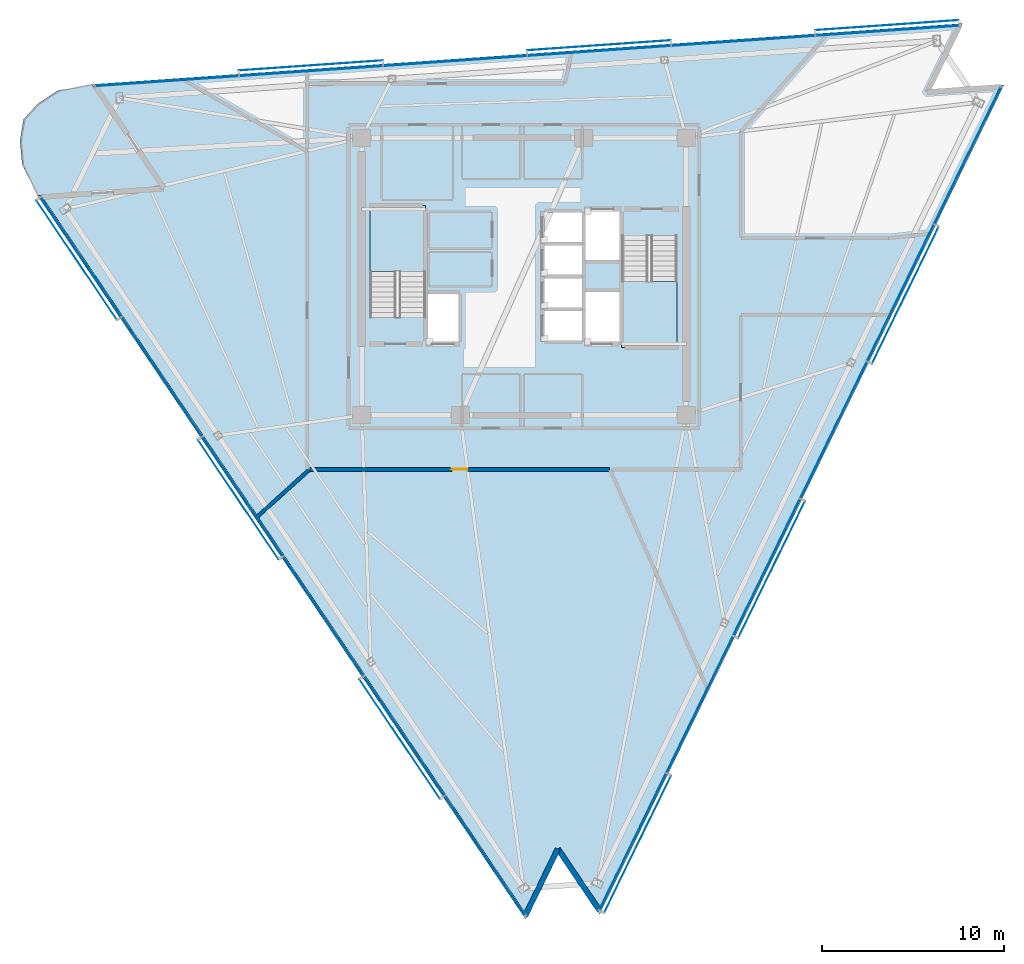
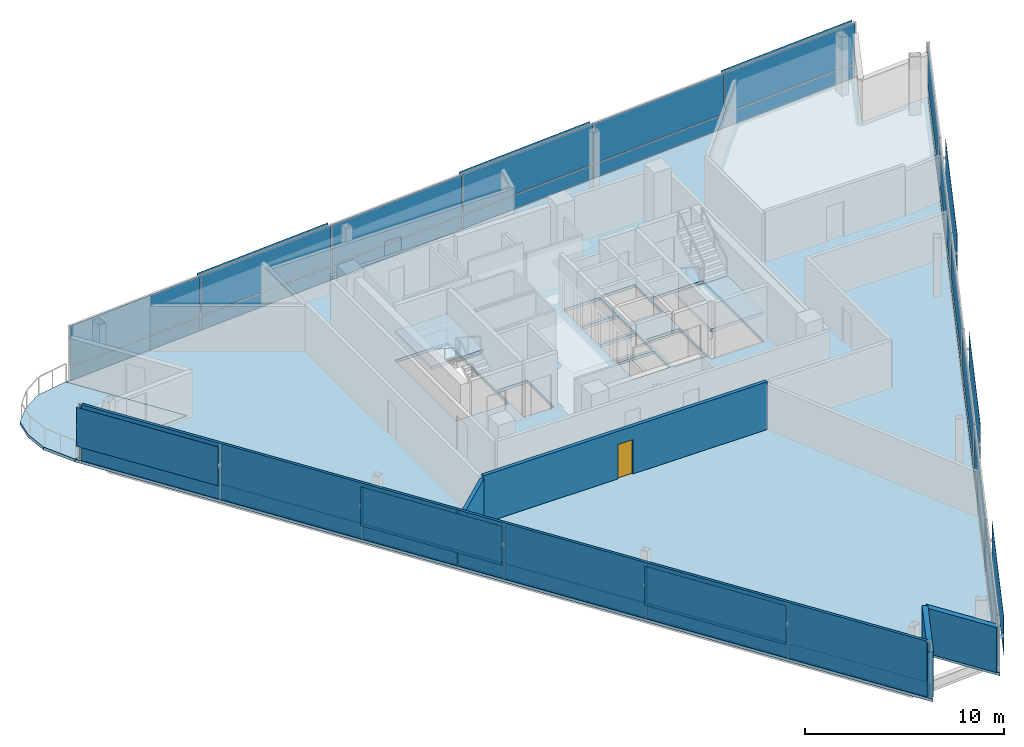
# One storey, part 8 of 16: 45 plates, 6 walls, 4 slabs, 1 door, 1 opening, 5 elements without a shape of their own.
"""IFC4 building model written with IfcOpenShell, lengths in metres."""

import ifcopenshell
import ifcopenshell.guid

model = None  # the IFC model being written
_history = None  # IfcOwnerHistory: only IFC2X3 demands one
_inside = {}  # id of a spatial element -> (the spatial element, [elements in it])
_under = {}  # id of a project, library or spatial element -> (it, [spatial elements below it])
_declared = {}  # id of a project -> (the project, [libraries it declares])
_typed = {}  # id of a type object -> (the type object, [elements of that type])
_made_of = {}  # id of a material, layer set ... -> (it, [elements and type objects made of it])


def new_model(schema):
    """Start an empty IFC model of exactly this schema.

    Asked for "IFC4X3", IfcOpenShell would pick the latest addendum, in which some entities
    have other attributes; the version numbers below select the first issue.
    IFC2X3 requires an IfcOwnerHistory on every rooted entity: one is made here for all.
    """
    global model, _history
    if schema == "IFC4X3":
        model = ifcopenshell.file(schema_version=(4, 3, 0, 0))
    else:
        model = ifcopenshell.file(schema=schema)
    _inside.clear()
    _under.clear()
    _declared.clear()
    _typed.clear()
    _made_of.clear()
    _history = None
    if model.schema == "IFC2X3":
        org = make("IfcOrganization", Name="unknown")
        user = make(
            "IfcPersonAndOrganization",
            ThePerson=make("IfcPerson", FamilyName="unknown"),
            TheOrganization=org,
        )
        app = make(
            "IfcApplication",
            ApplicationDeveloper=org,
            Version="unknown",
            ApplicationFullName="unknown",
            ApplicationIdentifier="unknown",
        )
        _history = make(
            "IfcOwnerHistory",
            OwningUser=user,
            OwningApplication=app,
            ChangeAction="ADDED",
            CreationDate=0,
        )
    return model


def make(cls, **values):
    """One entity of the class cls with the attributes given. An attribute that is None is left unset."""
    return model.create_entity(
        cls, **{name: value for name, value in values.items() if value is not None}
    )


def rooted(cls, **values):
    """An entity with a GlobalId (a new one), such as an element, a storey or a relation."""
    return make(cls, GlobalId=ifcopenshell.guid.new(), OwnerHistory=_history, **values)


def si_unit(unit_type, name, prefix=None):
    """IfcSIUnit, for example si_unit("LENGTHUNIT", "METRE", prefix="MILLI")."""
    return make("IfcSIUnit", UnitType=unit_type, Prefix=prefix, Name=name)


def assignment(units):
    """IfcUnitAssignment: the units of a project."""
    return None if units is None else make("IfcUnitAssignment", Units=units)


def point(xyz):
    """IfcCartesianPoint."""
    return None if xyz is None else make("IfcCartesianPoint", Coordinates=xyz)


def direction(xyz):
    """IfcDirection."""
    return None if xyz is None else make("IfcDirection", DirectionRatios=xyz)


def frame(location, z_axis=None, x_axis=None):
    """IfcAxis2Placement3D, a coordinate frame: its origin and axes. An axis left out is left unset."""
    return make(
        "IfcAxis2Placement3D",
        Location=point(location),
        Axis=direction(z_axis),
        RefDirection=direction(x_axis),
    )


def frame_2d(location, x_axis=None):
    """IfcAxis2Placement2D, a coordinate frame in the plane: its origin and x axis."""
    return make(
        "IfcAxis2Placement2D", Location=point(location), RefDirection=direction(x_axis)
    )


def origin():
    """The frame at (0, 0, 0) with its axes left unset."""
    return frame((0.0, 0.0, 0.0))


def origin_2d():
    """The frame at (0, 0) in the plane with its x axis left unset."""
    return frame_2d((0.0, 0.0))


def place(relative_to, where):
    """IfcLocalPlacement: puts the frame where relative to a parent placement (None: the world)."""
    return make(
        "IfcLocalPlacement", PlacementRelTo=relative_to, RelativePlacement=where
    )


def context(
    kind, dimensions, precision=None, world=None, true_north=None, identifier=None
):
    """IfcGeometricRepresentationContext, for example the 3D "Model" context."""
    return make(
        "IfcGeometricRepresentationContext",
        ContextIdentifier=identifier,
        ContextType=kind,
        CoordinateSpaceDimension=dimensions,
        Precision=precision,
        WorldCoordinateSystem=world,
        TrueNorth=true_north,
    )


def subcontext(parent, identifier, kind, view, scale=None):
    """IfcGeometricRepresentationSubContext, for example "Body" below "Model"."""
    return make(
        "IfcGeometricRepresentationSubContext",
        ContextIdentifier=identifier,
        ContextType=kind,
        ParentContext=parent,
        TargetScale=scale,
        TargetView=view,
    )


def project(units=None, contexts=None):
    """IfcProject with its units and contexts."""
    return rooted(
        "IfcProject",
        Name="project",
        RepresentationContexts=contexts,
        UnitsInContext=assignment(units),
    )


def spatial(cls, under=None, at=None, **own):
    """A site, building, storey or space (cls), placed at a placement, below another one or the project."""
    s = rooted(cls, ObjectPlacement=at, **own)
    if under is not None:
        _under.setdefault(under.id(), (under, []))[1].append(s)
    return s


def polyline(points):
    """IfcPolyline through the points."""
    return make("IfcPolyline", Points=[point(p) for p in points])


def profile(cls, at=None, kind="AREA", **sizes):
    """A parametric profile (cls). Its sizes go by their IFC names, for example OverallWidth=200.0."""
    return make(cls, ProfileType=kind, Position=at, **sizes)


def rectangle(**sizes):
    """IfcRectangleProfileDef."""
    return profile("IfcRectangleProfileDef", **sizes)


def outline(outer, holes=None, kind="AREA"):
    """IfcArbitraryClosedProfileDef: a profile drawn as a closed curve; with holes, ...WithVoids."""
    if holes is None:
        return make("IfcArbitraryClosedProfileDef", ProfileType=kind, OuterCurve=outer)
    return make(
        "IfcArbitraryProfileDefWithVoids",
        ProfileType=kind,
        OuterCurve=outer,
        InnerCurves=holes,
    )


def extrude(swept, where, along, depth):
    """IfcExtrudedAreaSolid: the profile swept, set in the frame where, extruded along a direction by depth."""
    return make(
        "IfcExtrudedAreaSolid",
        SweptArea=swept,
        Position=where,
        ExtrudedDirection=direction(along),
        Depth=depth,
    )


def shape(context_of_items, identifier, shape_type, items):
    """IfcShapeRepresentation: the items that make up one representation, for example the "Body"."""
    return make(
        "IfcShapeRepresentation",
        ContextOfItems=context_of_items,
        RepresentationIdentifier=identifier,
        RepresentationType=shape_type,
        Items=items,
    )


def material(Name=None, Category=None):
    """IfcMaterial."""
    return make("IfcMaterial", Name=Name, Category=Category)


def layer(
    of_material, thickness, ventilated=None, Name=None, Category=None, Priority=None
):
    """IfcMaterialLayer: one layer of a wall or slab, of a material (None: an air gap)."""
    return make(
        "IfcMaterialLayer",
        Material=of_material,
        LayerThickness=thickness,
        IsVentilated=ventilated,
        Name=Name,
        Category=Category,
        Priority=Priority,
    )


def layer_set(layers, Name=None):
    """IfcMaterialLayerSet."""
    return make("IfcMaterialLayerSet", MaterialLayers=layers, LayerSetName=Name)


def made_of(thing, what):
    """Note that an element or type object is made of a material, layer set ...; save() writes the relation."""
    if what is not None:
        _made_of.setdefault(what.id(), (what, []))[1].append(thing)
    return thing


def type_object(cls, material=None, **own):
    """A type object (cls), such as IfcWallType, which elements share."""
    return made_of(rooted(cls, **own), material)


def element(
    cls,
    number,
    at=None,
    inside=None,
    cuts=None,
    type_object=None,
    material=None,
    context=None,
    identifier="Body",
    shape_type=None,
    held_by="IfcProductDefinitionShape",
    body=None,
    shapes=None,
    **own,
):
    """One element of the class cls, such as IfcWall. Its Tag is "e" and its number.

    at: its placement. inside: the storey or other place that contains it. cuts: it is an
    opening in that element (IfcRelVoidsElement). A single representation is given by context,
    identifier, shape_type and body (its items); several are given by shapes. held_by: the class
    of the entity that holds the representations. save() writes the other relations.
    """
    e = rooted(cls, Tag="e%d" % number, ObjectPlacement=at, **own)
    if body is not None:
        shapes = [shape(context, identifier, shape_type, body)]
    if shapes is not None:
        e.Representation = make(held_by, Representations=shapes)
    if inside is not None:
        _inside.setdefault(inside.id(), (inside, []))[1].append(e)
    if cuts is not None:
        rooted(
            "IfcRelVoidsElement", RelatingBuildingElement=cuts, RelatedOpeningElement=e
        )
    if type_object is not None:
        _typed.setdefault(type_object.id(), (type_object, []))[1].append(e)
    return made_of(e, material)


def fill(opening, filler):
    """IfcRelFillsElement: the door or window that sits in an opening."""
    return rooted(
        "IfcRelFillsElement",
        RelatingOpeningElement=opening,
        RelatedBuildingElement=filler,
    )


def aggregate(whole, parts):
    """IfcRelAggregates: a whole, such as a stair, and the parts it consists of."""
    return rooted("IfcRelAggregates", RelatingObject=whole, RelatedObjects=parts)


def save(model, path):
    """Write the relations noted so far, then the file.

    IfcRelAggregates (storeys below a building ...), IfcRelContainedInSpatialStructure (elements
    in a storey), IfcRelDefinesByType, IfcRelAssociatesMaterial and IfcRelDeclares: one each for
    every whole, place, type object, material and project.
    """
    for whole, parts in _under.values():
        aggregate(whole, parts)
    for where, things in _inside.values():
        rooted(
            "IfcRelContainedInSpatialStructure",
            RelatedElements=things,
            RelatingStructure=where,
        )
    for kind, things in _typed.values():
        rooted("IfcRelDefinesByType", RelatedObjects=things, RelatingType=kind)
    for what, things in _made_of.values():
        rooted("IfcRelAssociatesMaterial", RelatedObjects=things, RelatingMaterial=what)
    for by, libraries in _declared.values():
        rooted("IfcRelDeclares", RelatingContext=by, RelatedDefinitions=libraries)
    model.write(path)


model = new_model("IFC4")

# Units and contexts
model_context = context("Model", 3, precision=1e-05, world=origin(), true_north=direction((0.0, 1.0)))
body_context = subcontext(model_context, "Body", "Model", "MODEL_VIEW")
ifc_project = project(units=[si_unit("LENGTHUNIT", "METRE"), si_unit("AREAUNIT", "SQUARE_METRE"), si_unit("VOLUMEUNIT", "CUBIC_METRE"), si_unit("PLANEANGLEUNIT", "RADIAN"), si_unit("MASSUNIT", "GRAM", prefix="KILO")], contexts=[model_context])

# Site, building, storey
site_placement = place(None, origin())
site = spatial("IfcSite", under=ifc_project, at=site_placement, CompositionType="ELEMENT")
building_placement = place(site_placement, origin())
building = spatial("IfcBuilding", under=site, at=building_placement, Name="Tharavind Bronze Gate", CompositionType="ELEMENT")
storey_placement = place(building_placement, frame((0.0, 0.0, 271.39990234375)))
storey = spatial("IfcBuildingStorey", under=building, at=storey_placement, Name="L70", CompositionType="ELEMENT", Elevation=271.39990234375)

# Plates
ifc_material_1 = material(Name="Perforated Bronze Alloy", Category="bronze")
ifc_layer_1 = layer(ifc_material_1, 0.011962890625)
ifc_layer_set_1 = layer_set([ifc_layer_1], Name="Perforated Bronze Alloy")
plate_type_1 = type_object("IfcPlateType", Name="BRONZE PERFORATED SOLAR SCREEN", PredefinedType="USERDEFINED", material=ifc_layer_set_1)
for number, where, z_axis, x_axis, name in (
    (1, (-24.528076171875, 0.904052734375, 0.966796875), (0.0, 0.0, 1.0), (0.559191456526, -0.82903854853, 0.0), "CW-L70-S1 perforated bronze solar screen 1"),
    (2, (-15.670166015625, -12.228515625, 0.966796875), (0.0, 0.0, 1.0), (0.559191456526, -0.82903854853, 0.0), "CW-L70-S1 perforated bronze solar screen 3"),
    (3, (-6.812255859375, -25.361083984375, 0.966796875), (0.0, 0.0, 1.0), (0.559191456526, -0.82903854853, 0.0), "CW-L70-S1 perforated bronze solar screen 5"),
):
    element("IfcPlate", number, at=place(storey_placement, frame(where, z_axis=z_axis, x_axis=x_axis)), inside=storey, type_object=plate_type_1, Name=name, ObjectType="SCREEN", PredefinedType="USERDEFINED", context=body_context, shape_type="SweptSolid", body=[
        extrude(rectangle(XDim=7.900390625, YDim=0.011962890625, at=origin_2d()), origin(), (0.0, 0.0, 1.0), 2.386962890625),
    ])
for number, where, z_axis, x_axis, name in (
    (4, (6.234130859375, -31.12841796875, 0.966796875), (0.0, 0.0, 1.0), (0.43837271548, 0.898793281196, 0.0), "CW-L70-S2 perforated bronze solar screen 1"),
    (5, (13.57470703125, -16.078369140625, 0.966796875), (0.0, 0.0, 1.0), (0.43837271548, 0.898793281196, 0.0), "CW-L70-S2 perforated bronze solar screen 3"),
    (6, (20.9150390625, -1.0283203125, 0.966796875), (0.0, 0.0, 1.0), (0.43837271548, 0.898793281196, 0.0), "CW-L70-S2 perforated bronze solar screen 5"),
):
    element("IfcPlate", number, at=place(storey_placement, frame(where, z_axis=z_axis, x_axis=x_axis)), inside=storey, type_object=plate_type_1, Name=name, ObjectType="SCREEN", PredefinedType="USERDEFINED", context=body_context, shape_type="SweptSolid", body=[
        extrude(rectangle(XDim=8.352294921875, YDim=0.011962890625, at=origin_2d()), origin(), (0.0, 0.0, 1.0), 2.386962890625),
    ])
for number, where, z_axis, x_axis, name in (
    (7, (19.909423828125, 13.779052734375, 0.966796875), (0.0, 0.0, 1.0), (-0.997563806758, -0.069759955899, 0.0), "CW-L70-S3 perforated bronze solar screen 1"),
    (8, (4.107421875, 12.674072265625, 0.966796875), (0.0, 0.0, 1.0), (-0.997563806758, -0.069759955899, 0.0), "CW-L70-S3 perforated bronze solar screen 3"),
    (9, (-11.69482421875, 11.569091796875, 0.966796875), (0.0, 0.0, 1.0), (-0.997563806758, -0.069759955899, 0.0), "CW-L70-S3 perforated bronze solar screen 5"),
):
    element("IfcPlate", number, at=place(storey_placement, frame(where, z_axis=z_axis, x_axis=x_axis)), inside=storey, type_object=plate_type_1, Name=name, ObjectType="SCREEN", PredefinedType="USERDEFINED", context=body_context, shape_type="SweptSolid", body=[
        extrude(rectangle(XDim=7.900390625, YDim=0.011962890625, at=origin_2d()), origin(), (0.0, 0.0, 1.0), 2.386962890625),
    ])

# Curtain wall, plates
ifc_material_2 = material(Name="Anodised Bronze Aluminium", Category="aluminium")
ifc_layer_2 = layer(ifc_material_2, 0.219970703125)
ifc_layer_set_2 = layer_set([ifc_layer_2], Name="Anodised Bronze Aluminium")
curtain_wall_type = type_object("IfcCurtainWallType", Name="UNITISED CURTAIN WALL UPPER OFFICE", PredefinedType="USERDEFINED", material=ifc_layer_set_2)
curtain_wall_1_placement = place(storey_placement, origin())
curtain_wall_1 = element("IfcCurtainWall", 10, at=curtain_wall_1_placement, inside=storey, type_object=curtain_wall_type, Name="L70 unitised curtain wall upper office CW-L70-S1", ObjectType="UNITISED CURTAIN WALL", PredefinedType="USERDEFINED")
ifc_material_3 = material(Name="Patinated Bronze Alloy Sheet", Category="bronze")
ifc_layer_3 = layer(ifc_material_3, 0.01611328125)
ifc_layer_set_3 = layer_set([ifc_layer_3], Name="Patinated Bronze Alloy Sheet")
plate_type_2 = type_object("IfcPlateType", Name="BRONZE SPANDREL CLADDING PANEL 16", PredefinedType="CURTAIN_PANEL", material=ifc_layer_set_3)
plate_1_placement = place(storey_placement, frame((-24.283447265625, 1.069091796875, 0.02685546875), z_axis=(0.0, 0.0, 1.0), x_axis=(0.559191456526, -0.82903854853, 0.0)))
plate_1 = element("IfcPlate", 11, at=plate_1_placement, type_object=plate_type_2, Name="CW-L70-S1 bronze spandrel panel 1", PredefinedType="CURTAIN_PANEL", context=body_context, shape_type="SweptSolid", body=[
    extrude(rectangle(XDim=7.8671875, YDim=0.01611328125, at=origin_2d()), origin(), (0.0, 0.0, 1.0), 0.846923828125),
])
plate_2_placement = place(storey_placement, frame((-19.8544921875, -5.497314453125, 0.02685546875), z_axis=(0.0, 0.0, 1.0), x_axis=(0.559191456526, -0.82903854853, 0.0)))
plate_2 = element("IfcPlate", 12, at=plate_2_placement, type_object=plate_type_2, Name="CW-L70-S1 bronze spandrel panel 2", PredefinedType="CURTAIN_PANEL", context=body_context, shape_type="SweptSolid", body=[
    extrude(rectangle(XDim=7.8671875, YDim=0.01611328125, at=origin_2d()), origin(), (0.0, 0.0, 1.0), 0.846923828125),
])
plate_3_placement = place(storey_placement, frame((-15.425537109375, -12.0634765625, 0.02685546875), z_axis=(0.0, 0.0, 1.0), x_axis=(0.559191456526, -0.82903854853, 0.0)))
plate_3 = element("IfcPlate", 13, at=plate_3_placement, type_object=plate_type_2, Name="CW-L70-S1 bronze spandrel panel 3", PredefinedType="CURTAIN_PANEL", context=body_context, shape_type="SweptSolid", body=[
    extrude(rectangle(XDim=7.8671875, YDim=0.01611328125, at=origin_2d()), origin(), (0.0, 0.0, 1.0), 0.846923828125),
])
plate_4_placement = place(storey_placement, frame((-10.99658203125, -18.629638671875, 0.02685546875), z_axis=(0.0, 0.0, 1.0), x_axis=(0.559191456526, -0.82903854853, 0.0)))
plate_4 = element("IfcPlate", 14, at=plate_4_placement, type_object=plate_type_2, Name="CW-L70-S1 bronze spandrel panel 4", PredefinedType="CURTAIN_PANEL", context=body_context, shape_type="SweptSolid", body=[
    extrude(rectangle(XDim=7.8671875, YDim=0.01611328125, at=origin_2d()), origin(), (0.0, 0.0, 1.0), 0.846923828125),
])
plate_5_placement = place(storey_placement, frame((-6.567626953125, -25.196044921875, 0.02685546875), z_axis=(0.0, 0.0, 1.0), x_axis=(0.559191456526, -0.82903854853, 0.0)))
plate_5 = element("IfcPlate", 15, at=plate_5_placement, type_object=plate_type_2, Name="CW-L70-S1 bronze spandrel panel 5", PredefinedType="CURTAIN_PANEL", context=body_context, shape_type="SweptSolid", body=[
    extrude(rectangle(XDim=7.8671875, YDim=0.01611328125, at=origin_2d()), origin(), (0.0, 0.0, 1.0), 0.846923828125),
])
plate_6_placement = place(storey_placement, frame((-2.138671875, -31.76220703125, 0.02685546875), z_axis=(0.0, 0.0, 1.0), x_axis=(0.559191456526, -0.82903854853, 0.0)))
plate_6 = element("IfcPlate", 16, at=plate_6_placement, type_object=plate_type_2, Name="CW-L70-S1 bronze spandrel panel 6", PredefinedType="CURTAIN_PANEL", context=body_context, shape_type="SweptSolid", body=[
    extrude(rectangle(XDim=7.8671875, YDim=0.01611328125, at=origin_2d()), origin(), (0.0, 0.0, 1.0), 0.846923828125),
])

curtain_wall_2_placement = place(storey_placement, origin())
curtain_wall_2 = element("IfcCurtainWall", 17, at=curtain_wall_2_placement, inside=storey, type_object=curtain_wall_type, Name="L70 unitised curtain wall upper office CW-L70-S2", ObjectType="UNITISED CURTAIN WALL", PredefinedType="USERDEFINED")
plate_7_placement = place(storey_placement, frame((5.968994140625, -30.9990234375, 0.02685546875), z_axis=(0.0, 0.0, 1.0), x_axis=(0.43837271548, 0.898793281196, 0.0)))
plate_7 = element("IfcPlate", 18, at=plate_7_placement, type_object=plate_type_2, Name="CW-L70-S2 bronze spandrel panel 1", PredefinedType="CURTAIN_PANEL", context=body_context, shape_type="SweptSolid", body=[
    extrude(rectangle(XDim=8.3193359375, YDim=0.01611328125, at=origin_2d()), origin(), (0.0, 0.0, 1.0), 0.846923828125),
])
plate_8_placement = place(storey_placement, frame((9.639404296875, -23.47412109375, 0.02685546875), z_axis=(0.0, 0.0, 1.0), x_axis=(0.43837271548, 0.898793281196, 0.0)))
plate_8 = element("IfcPlate", 19, at=plate_8_placement, type_object=plate_type_2, Name="CW-L70-S2 bronze spandrel panel 2", PredefinedType="CURTAIN_PANEL", context=body_context, shape_type="SweptSolid", body=[
    extrude(rectangle(XDim=8.3193359375, YDim=0.01611328125, at=origin_2d()), origin(), (0.0, 0.0, 1.0), 0.846923828125),
])
plate_9_placement = place(storey_placement, frame((13.3095703125, -15.94921875, 0.02685546875), z_axis=(0.0, 0.0, 1.0), x_axis=(0.43837271548, 0.898793281196, 0.0)))
plate_9 = element("IfcPlate", 20, at=plate_9_placement, type_object=plate_type_2, Name="CW-L70-S2 bronze spandrel panel 3", PredefinedType="CURTAIN_PANEL", context=body_context, shape_type="SweptSolid", body=[
    extrude(rectangle(XDim=8.3193359375, YDim=0.01611328125, at=origin_2d()), origin(), (0.0, 0.0, 1.0), 0.846923828125),
])
plate_10_placement = place(storey_placement, frame((16.979736328125, -8.424072265625, 0.02685546875), z_axis=(0.0, 0.0, 1.0), x_axis=(0.43837271548, 0.898793281196, 0.0)))
plate_10 = element("IfcPlate", 21, at=plate_10_placement, type_object=plate_type_2, Name="CW-L70-S2 bronze spandrel panel 4", PredefinedType="CURTAIN_PANEL", context=body_context, shape_type="SweptSolid", body=[
    extrude(rectangle(XDim=8.3193359375, YDim=0.01611328125, at=origin_2d()), origin(), (0.0, 0.0, 1.0), 0.846923828125),
])
plate_11_placement = place(storey_placement, frame((20.64990234375, -0.89892578125, 0.02685546875), z_axis=(0.0, 0.0, 1.0), x_axis=(0.43837271548, 0.898793281196, 0.0)))
plate_11 = element("IfcPlate", 22, at=plate_11_placement, type_object=plate_type_2, Name="CW-L70-S2 bronze spandrel panel 5", PredefinedType="CURTAIN_PANEL", context=body_context, shape_type="SweptSolid", body=[
    extrude(rectangle(XDim=8.3193359375, YDim=0.01611328125, at=origin_2d()), origin(), (0.0, 0.0, 1.0), 0.846923828125),
])
plate_12_placement = place(storey_placement, frame((24.3203125, 6.6259765625, 0.02685546875), z_axis=(0.0, 0.0, 1.0), x_axis=(0.43837271548, 0.898793281196, 0.0)))
plate_12 = element("IfcPlate", 23, at=plate_12_placement, type_object=plate_type_2, Name="CW-L70-S2 bronze spandrel panel 6", PredefinedType="CURTAIN_PANEL", context=body_context, shape_type="SweptSolid", body=[
    extrude(rectangle(XDim=8.3193359375, YDim=0.01611328125, at=origin_2d()), origin(), (0.0, 0.0, 1.0), 0.846923828125),
])

curtain_wall_3_placement = place(storey_placement, origin())
curtain_wall_3 = element("IfcCurtainWall", 24, at=curtain_wall_3_placement, inside=storey, type_object=curtain_wall_type, Name="L70 unitised curtain wall upper office CW-L70-S3", ObjectType="UNITISED CURTAIN WALL", PredefinedType="USERDEFINED")
plate_13_placement = place(storey_placement, frame((19.929931640625, 13.48486328125, 0.02685546875), z_axis=(0.0, 0.0, 1.0), x_axis=(-0.997563806758, -0.069759955899, 0.0)))
plate_13 = element("IfcPlate", 25, at=plate_13_placement, type_object=plate_type_2, Name="CW-L70-S3 bronze spandrel panel 1", PredefinedType="CURTAIN_PANEL", context=body_context, shape_type="SweptSolid", body=[
    extrude(rectangle(XDim=7.8671875, YDim=0.01611328125, at=origin_2d()), origin(), (0.0, 0.0, 1.0), 0.846923828125),
])
plate_14_placement = place(storey_placement, frame((12.02880859375, 12.932373046875, 0.02685546875), z_axis=(0.0, 0.0, 1.0), x_axis=(-0.997563806758, -0.069759955899, 0.0)))
plate_14 = element("IfcPlate", 26, at=plate_14_placement, type_object=plate_type_2, Name="CW-L70-S3 bronze spandrel panel 2", PredefinedType="CURTAIN_PANEL", context=body_context, shape_type="SweptSolid", body=[
    extrude(rectangle(XDim=7.8671875, YDim=0.01611328125, at=origin_2d()), origin(), (0.0, 0.0, 1.0), 0.846923828125),
])
plate_15_placement = place(storey_placement, frame((4.1279296875, 12.3798828125, 0.02685546875), z_axis=(0.0, 0.0, 1.0), x_axis=(-0.997563806758, -0.069759955899, 0.0)))
plate_15 = element("IfcPlate", 27, at=plate_15_placement, type_object=plate_type_2, Name="CW-L70-S3 bronze spandrel panel 3", PredefinedType="CURTAIN_PANEL", context=body_context, shape_type="SweptSolid", body=[
    extrude(rectangle(XDim=7.8671875, YDim=0.01611328125, at=origin_2d()), origin(), (0.0, 0.0, 1.0), 0.846923828125),
])
plate_16_placement = place(storey_placement, frame((-3.773193359375, 11.827392578125, 0.02685546875), z_axis=(0.0, 0.0, 1.0), x_axis=(-0.997563806758, -0.069759955899, 0.0)))
plate_16 = element("IfcPlate", 28, at=plate_16_placement, type_object=plate_type_2, Name="CW-L70-S3 bronze spandrel panel 4", PredefinedType="CURTAIN_PANEL", context=body_context, shape_type="SweptSolid", body=[
    extrude(rectangle(XDim=7.8671875, YDim=0.01611328125, at=origin_2d()), origin(), (0.0, 0.0, 1.0), 0.846923828125),
])
plate_17_placement = place(storey_placement, frame((-11.67431640625, 11.27490234375, 0.02685546875), z_axis=(0.0, 0.0, 1.0), x_axis=(-0.997563806758, -0.069759955899, 0.0)))
plate_17 = element("IfcPlate", 29, at=plate_17_placement, type_object=plate_type_2, Name="CW-L70-S3 bronze spandrel panel 5", PredefinedType="CURTAIN_PANEL", context=body_context, shape_type="SweptSolid", body=[
    extrude(rectangle(XDim=7.8671875, YDim=0.01611328125, at=origin_2d()), origin(), (0.0, 0.0, 1.0), 0.846923828125),
])
plate_18_placement = place(storey_placement, frame((-19.5751953125, 10.722412109375, 0.02685546875), z_axis=(0.0, 0.0, 1.0), x_axis=(-0.997563806758, -0.069759955899, 0.0)))
plate_18 = element("IfcPlate", 30, at=plate_18_placement, type_object=plate_type_2, Name="CW-L70-S3 bronze spandrel panel 6", PredefinedType="CURTAIN_PANEL", context=body_context, shape_type="SweptSolid", body=[
    extrude(rectangle(XDim=7.8671875, YDim=0.01611328125, at=origin_2d()), origin(), (0.0, 0.0, 1.0), 0.846923828125),
])

# Slab
ifc_material_4 = material(Name="Concrete C40/50", Category="concrete")
ifc_layer_4 = layer(ifc_material_4, 0.179931640625)
ifc_layer_set_4 = layer_set([ifc_layer_4], Name="Concrete C40/50")
slab_type_1 = type_object("IfcSlabType", Name="EXTERIOR BALCONY SLAB 180", PredefinedType="FLOOR", material=ifc_layer_set_4)
slab_1_placement = place(storey_placement, frame((0.0, 0.0, -0.179931640625)))
element("IfcSlab", 31, at=slab_1_placement, inside=storey, type_object=slab_type_1, Name="L70 northeast tree balcony slab", PredefinedType="FLOOR", context=body_context, shape_type="SweptSolid", body=[
    extrude(outline(polyline([(-25.535888671875, 10.203125), (-26.644287109375, 9.48681640625), (-27.443359375, 8.618896484375), (-27.63525390625, 7.455322265625), (-27.51708984375, 6.140625), (-26.677734375, 4.43994140625), (-19.914306640625, 4.912841796875), (-23.70556640625, 10.53369140625), (-25.535888671875, 10.203125)])), origin(), (0.0, 0.0, 1.0), 0.179931640625),
])

# Stair, slab
stair_type = type_object("IfcStairType", Name="CORE HALF TURN STAIR 1450", PredefinedType="HALF_TURN_STAIR", material=ifc_material_4)
stair_1_placement = place(storey_placement, origin())
stair_1 = element("IfcStair", 32, at=stair_1_placement, inside=storey, type_object=stair_type, Name="L70 Protected Exit Stair ST1", PredefinedType="HALF_TURN_STAIR")
ifc_layer_5 = layer(ifc_material_4, 0.199951171875)
ifc_layer_set_5 = layer_set([ifc_layer_5], Name="Concrete C40/50")
slab_type_2 = type_object("IfcSlabType", Name="STAIR LANDING SLAB 200", PredefinedType="LANDING", material=ifc_layer_set_5)
slab_2_placement = place(storey_placement, frame((0.0, 0.0, 1.60009765625)))
slab_2 = element("IfcSlab", 33, at=slab_2_placement, type_object=slab_type_2, Name="ST1 landing 1", PredefinedType="LANDING", context=body_context, shape_type="SweptSolid", body=[
    extrude(outline(polyline([(-5.39990234375, 0.27001953125), (-5.39990234375, 3.89990234375), (-8.449951171875, 3.89990234375), (-8.449951171875, 0.27001953125), (-5.39990234375, 0.27001953125)])), origin(), (0.0, 0.0, 1.0), 0.199951171875),
])
aggregate(stair_1, [slab_2])

stair_2_placement = place(storey_placement, origin())
stair_2 = element("IfcStair", 34, at=stair_2_placement, inside=storey, type_object=stair_type, Name="L70 Protected Exit Stair ST2", PredefinedType="HALF_TURN_STAIR")
slab_3_placement = place(storey_placement, frame((0.0, 0.0, 1.60009765625)))
slab_3 = element("IfcSlab", 35, at=slab_3_placement, type_object=slab_type_2, Name="ST2 landing 1", PredefinedType="LANDING", context=body_context, shape_type="SweptSolid", body=[
    extrude(outline(polyline([(5.35009765625, -0.27001953125), (5.35009765625, -3.89990234375), (8.39990234375, -3.89990234375), (8.39990234375, -0.27001953125), (5.35009765625, -0.27001953125)])), origin(), (0.0, 0.0, 1.0), 0.199951171875),
])
aggregate(stair_2, [slab_3])

# Slab
ifc_layer_6 = layer(ifc_material_4, 0.179931640625)
ifc_layer_set_6 = layer_set([ifc_layer_6], Name="Concrete C40/50")
slab_type_3 = type_object("IfcSlabType", Name="STRUCTURAL FLOOR SLAB 180", PredefinedType="FLOOR", material=ifc_layer_set_6)
slab_4_placement = place(storey_placement, frame((0.0, 0.0, -0.179931640625)))
element("IfcSlab", 36, at=slab_4_placement, inside=storey, type_object=slab_type_3, Name="L70 main structural floor slab", PredefinedType="FLOOR", context=body_context, shape_type="SweptSolid", body=[
    extrude(outline(polyline([(-23.70556640625, 10.53369140625), (-19.914306640625, 4.912841796875), (-26.677734375, 4.43994140625), (0.08984375, -35.244873046875), (1.873291015625, -31.588623046875), (4.14794921875, -34.961181640625), (26.321044921875, 10.500244140625), (22.262939453125, 10.216552734375), (24.04638671875, 13.872802734375), (-23.70556640625, 10.53369140625)]), holes=[polyline([(-5.39990234375, -2.215087890625), (-5.39990234375, 3.89990234375), (-8.449951171875, 3.89990234375), (-8.449951171875, -2.215087890625), (-5.39990234375, -2.215087890625)]), polyline([(5.35009765625, 2.215087890625), (5.35009765625, -3.89990234375), (8.39990234375, -3.89990234375), (8.39990234375, 2.215087890625), (5.35009765625, 2.215087890625)]), polyline([(1.080078125, -3.52001953125), (3.199951171875, -3.52001953125), (3.199951171875, -1.8798828125), (1.080078125, -1.8798828125), (1.080078125, -3.52001953125)]), polyline([(1.080078125, -1.719970703125), (3.199951171875, -1.719970703125), (3.199951171875, -0.080078125), (1.080078125, -0.080078125), (1.080078125, -1.719970703125)]), polyline([(1.080078125, 0.080078125), (3.199951171875, 0.080078125), (3.199951171875, 1.719970703125), (1.080078125, 1.719970703125), (1.080078125, 0.080078125)]), polyline([(1.080078125, 1.8798828125), (3.199951171875, 1.8798828125), (3.199951171875, 3.52001953125), (1.080078125, 3.52001953125), (1.080078125, 1.8798828125)]), polyline([(-5.320068359375, -3.6201171875), (-3.580078125, -3.6201171875), (-3.580078125, -0.929931640625), (-5.320068359375, -0.929931640625), (-5.320068359375, -3.6201171875)]), polyline([(3.360107421875, 0.8798828125), (5.27001953125, 0.8798828125), (5.27001953125, 3.6201171875), (3.360107421875, 3.6201171875), (3.360107421875, 0.8798828125)]), polyline([(3.360107421875, -3.6201171875), (5.27001953125, -3.6201171875), (5.27001953125, -0.830078125), (3.360107421875, -0.830078125), (3.360107421875, -3.6201171875)])]), origin(), (0.0, 0.0, 1.0), 0.179931640625),
])

# Plate
ifc_material_5 = material(Name="Triple Solar Control Glazing", Category="glass")
ifc_layer_7 = layer(ifc_material_5, 0.0439453125)
ifc_layer_set_7 = layer_set([ifc_layer_7], Name="Triple Solar Control Glazing")
plate_type_3 = type_object("IfcPlateType", Name="TRIPLE GLAZED FACADE PANEL 44", PredefinedType="CURTAIN_PANEL", material=ifc_layer_set_7)
plate_19_placement = place(storey_placement, frame((-24.283447265625, 1.069091796875, 0.9267578125), z_axis=(0.0, 0.0, 1.0), x_axis=(0.559191456526, -0.82903854853, 0.0)))
plate_19 = element("IfcPlate", 37, at=plate_19_placement, type_object=plate_type_3, Name="CW-L70-S1 vision glazing panel 1", PredefinedType="CURTAIN_PANEL", context=body_context, shape_type="SweptSolid", body=[
    extrude(rectangle(XDim=7.8671875, YDim=0.0439453125, at=origin_2d()), origin(), (0.0, 0.0, 1.0), 2.467041015625),
])

plate_20_placement = place(storey_placement, frame((-19.8544921875, -5.497314453125, 0.9267578125), z_axis=(0.0, 0.0, 1.0), x_axis=(0.559191456526, -0.82903854853, 0.0)))
plate_20 = element("IfcPlate", 38, at=plate_20_placement, type_object=plate_type_3, Name="CW-L70-S1 vision glazing panel 2", PredefinedType="CURTAIN_PANEL", context=body_context, shape_type="SweptSolid", body=[
    extrude(rectangle(XDim=7.8671875, YDim=0.0439453125, at=origin_2d()), origin(), (0.0, 0.0, 1.0), 2.467041015625),
])

plate_21_placement = place(storey_placement, frame((-15.425537109375, -12.0634765625, 0.9267578125), z_axis=(0.0, 0.0, 1.0), x_axis=(0.559191456526, -0.82903854853, 0.0)))
plate_21 = element("IfcPlate", 39, at=plate_21_placement, type_object=plate_type_3, Name="CW-L70-S1 vision glazing panel 3", PredefinedType="CURTAIN_PANEL", context=body_context, shape_type="SweptSolid", body=[
    extrude(rectangle(XDim=7.8671875, YDim=0.0439453125, at=origin_2d()), origin(), (0.0, 0.0, 1.0), 2.467041015625),
])

plate_22_placement = place(storey_placement, frame((-10.99658203125, -18.629638671875, 0.9267578125), z_axis=(0.0, 0.0, 1.0), x_axis=(0.559191456526, -0.82903854853, 0.0)))
plate_22 = element("IfcPlate", 40, at=plate_22_placement, type_object=plate_type_3, Name="CW-L70-S1 vision glazing panel 4", PredefinedType="CURTAIN_PANEL", context=body_context, shape_type="SweptSolid", body=[
    extrude(rectangle(XDim=7.8671875, YDim=0.0439453125, at=origin_2d()), origin(), (0.0, 0.0, 1.0), 2.467041015625),
])

plate_23_placement = place(storey_placement, frame((-6.567626953125, -25.196044921875, 0.9267578125), z_axis=(0.0, 0.0, 1.0), x_axis=(0.559191456526, -0.82903854853, 0.0)))
plate_23 = element("IfcPlate", 41, at=plate_23_placement, type_object=plate_type_3, Name="CW-L70-S1 vision glazing panel 5", PredefinedType="CURTAIN_PANEL", context=body_context, shape_type="SweptSolid", body=[
    extrude(rectangle(XDim=7.8671875, YDim=0.0439453125, at=origin_2d()), origin(), (0.0, 0.0, 1.0), 2.467041015625),
])

plate_24_placement = place(storey_placement, frame((-2.138671875, -31.76220703125, 0.9267578125), z_axis=(0.0, 0.0, 1.0), x_axis=(0.559191456526, -0.82903854853, 0.0)))
plate_24 = element("IfcPlate", 42, at=plate_24_placement, type_object=plate_type_3, Name="CW-L70-S1 vision glazing panel 6", PredefinedType="CURTAIN_PANEL", context=body_context, shape_type="SweptSolid", body=[
    extrude(rectangle(XDim=7.8671875, YDim=0.0439453125, at=origin_2d()), origin(), (0.0, 0.0, 1.0), 2.467041015625),
])

aggregate(curtain_wall_1, [plate_1, plate_19, plate_2, plate_20, plate_3, plate_21, plate_4, plate_22, plate_5, plate_23, plate_6, plate_24])

plate_25_placement = place(storey_placement, frame((5.968994140625, -30.9990234375, 0.9267578125), z_axis=(0.0, 0.0, 1.0), x_axis=(0.43837271548, 0.898793281196, 0.0)))
plate_25 = element("IfcPlate", 43, at=plate_25_placement, type_object=plate_type_3, Name="CW-L70-S2 vision glazing panel 1", PredefinedType="CURTAIN_PANEL", context=body_context, shape_type="SweptSolid", body=[
    extrude(rectangle(XDim=8.3193359375, YDim=0.0439453125, at=origin_2d()), origin(), (0.0, 0.0, 1.0), 2.467041015625),
])

plate_26_placement = place(storey_placement, frame((9.639404296875, -23.47412109375, 0.9267578125), z_axis=(0.0, 0.0, 1.0), x_axis=(0.43837271548, 0.898793281196, 0.0)))
plate_26 = element("IfcPlate", 44, at=plate_26_placement, type_object=plate_type_3, Name="CW-L70-S2 vision glazing panel 2", PredefinedType="CURTAIN_PANEL", context=body_context, shape_type="SweptSolid", body=[
    extrude(rectangle(XDim=8.3193359375, YDim=0.0439453125, at=origin_2d()), origin(), (0.0, 0.0, 1.0), 2.467041015625),
])

plate_27_placement = place(storey_placement, frame((13.3095703125, -15.94921875, 0.9267578125), z_axis=(0.0, 0.0, 1.0), x_axis=(0.43837271548, 0.898793281196, 0.0)))
plate_27 = element("IfcPlate", 45, at=plate_27_placement, type_object=plate_type_3, Name="CW-L70-S2 vision glazing panel 3", PredefinedType="CURTAIN_PANEL", context=body_context, shape_type="SweptSolid", body=[
    extrude(rectangle(XDim=8.3193359375, YDim=0.0439453125, at=origin_2d()), origin(), (0.0, 0.0, 1.0), 2.467041015625),
])

plate_28_placement = place(storey_placement, frame((16.979736328125, -8.424072265625, 0.9267578125), z_axis=(0.0, 0.0, 1.0), x_axis=(0.43837271548, 0.898793281196, 0.0)))
plate_28 = element("IfcPlate", 46, at=plate_28_placement, type_object=plate_type_3, Name="CW-L70-S2 vision glazing panel 4", PredefinedType="CURTAIN_PANEL", context=body_context, shape_type="SweptSolid", body=[
    extrude(rectangle(XDim=8.3193359375, YDim=0.0439453125, at=origin_2d()), origin(), (0.0, 0.0, 1.0), 2.467041015625),
])

plate_29_placement = place(storey_placement, frame((20.64990234375, -0.89892578125, 0.9267578125), z_axis=(0.0, 0.0, 1.0), x_axis=(0.43837271548, 0.898793281196, 0.0)))
plate_29 = element("IfcPlate", 47, at=plate_29_placement, type_object=plate_type_3, Name="CW-L70-S2 vision glazing panel 5", PredefinedType="CURTAIN_PANEL", context=body_context, shape_type="SweptSolid", body=[
    extrude(rectangle(XDim=8.3193359375, YDim=0.0439453125, at=origin_2d()), origin(), (0.0, 0.0, 1.0), 2.467041015625),
])

plate_30_placement = place(storey_placement, frame((24.3203125, 6.6259765625, 0.9267578125), z_axis=(0.0, 0.0, 1.0), x_axis=(0.43837271548, 0.898793281196, 0.0)))
plate_30 = element("IfcPlate", 48, at=plate_30_placement, type_object=plate_type_3, Name="CW-L70-S2 vision glazing panel 6", PredefinedType="CURTAIN_PANEL", context=body_context, shape_type="SweptSolid", body=[
    extrude(rectangle(XDim=8.3193359375, YDim=0.0439453125, at=origin_2d()), origin(), (0.0, 0.0, 1.0), 2.467041015625),
])

aggregate(curtain_wall_2, [plate_7, plate_25, plate_8, plate_26, plate_9, plate_27, plate_10, plate_28, plate_11, plate_29, plate_12, plate_30])

plate_31_placement = place(storey_placement, frame((19.929931640625, 13.48486328125, 0.9267578125), z_axis=(0.0, 0.0, 1.0), x_axis=(-0.997563806758, -0.069759955899, 0.0)))
plate_31 = element("IfcPlate", 49, at=plate_31_placement, type_object=plate_type_3, Name="CW-L70-S3 vision glazing panel 1", PredefinedType="CURTAIN_PANEL", context=body_context, shape_type="SweptSolid", body=[
    extrude(rectangle(XDim=7.8671875, YDim=0.0439453125, at=origin_2d()), origin(), (0.0, 0.0, 1.0), 2.467041015625),
])

plate_32_placement = place(storey_placement, frame((12.02880859375, 12.932373046875, 0.9267578125), z_axis=(0.0, 0.0, 1.0), x_axis=(-0.997563806758, -0.069759955899, 0.0)))
plate_32 = element("IfcPlate", 50, at=plate_32_placement, type_object=plate_type_3, Name="CW-L70-S3 vision glazing panel 2", PredefinedType="CURTAIN_PANEL", context=body_context, shape_type="SweptSolid", body=[
    extrude(rectangle(XDim=7.8671875, YDim=0.0439453125, at=origin_2d()), origin(), (0.0, 0.0, 1.0), 2.467041015625),
])

plate_33_placement = place(storey_placement, frame((4.1279296875, 12.3798828125, 0.9267578125), z_axis=(0.0, 0.0, 1.0), x_axis=(-0.997563806758, -0.069759955899, 0.0)))
plate_33 = element("IfcPlate", 51, at=plate_33_placement, type_object=plate_type_3, Name="CW-L70-S3 vision glazing panel 3", PredefinedType="CURTAIN_PANEL", context=body_context, shape_type="SweptSolid", body=[
    extrude(rectangle(XDim=7.8671875, YDim=0.0439453125, at=origin_2d()), origin(), (0.0, 0.0, 1.0), 2.467041015625),
])

plate_34_placement = place(storey_placement, frame((-3.773193359375, 11.827392578125, 0.9267578125), z_axis=(0.0, 0.0, 1.0), x_axis=(-0.997563806758, -0.069759955899, 0.0)))
plate_34 = element("IfcPlate", 52, at=plate_34_placement, type_object=plate_type_3, Name="CW-L70-S3 vision glazing panel 4", PredefinedType="CURTAIN_PANEL", context=body_context, shape_type="SweptSolid", body=[
    extrude(rectangle(XDim=7.8671875, YDim=0.0439453125, at=origin_2d()), origin(), (0.0, 0.0, 1.0), 2.467041015625),
])

plate_35_placement = place(storey_placement, frame((-11.67431640625, 11.27490234375, 0.9267578125), z_axis=(0.0, 0.0, 1.0), x_axis=(-0.997563806758, -0.069759955899, 0.0)))
plate_35 = element("IfcPlate", 53, at=plate_35_placement, type_object=plate_type_3, Name="CW-L70-S3 vision glazing panel 5", PredefinedType="CURTAIN_PANEL", context=body_context, shape_type="SweptSolid", body=[
    extrude(rectangle(XDim=7.8671875, YDim=0.0439453125, at=origin_2d()), origin(), (0.0, 0.0, 1.0), 2.467041015625),
])

plate_36_placement = place(storey_placement, frame((-19.5751953125, 10.722412109375, 0.9267578125), z_axis=(0.0, 0.0, 1.0), x_axis=(-0.997563806758, -0.069759955899, 0.0)))
plate_36 = element("IfcPlate", 54, at=plate_36_placement, type_object=plate_type_3, Name="CW-L70-S3 vision glazing panel 6", PredefinedType="CURTAIN_PANEL", context=body_context, shape_type="SweptSolid", body=[
    extrude(rectangle(XDim=7.8671875, YDim=0.0439453125, at=origin_2d()), origin(), (0.0, 0.0, 1.0), 2.467041015625),
])

aggregate(curtain_wall_3, [plate_13, plate_31, plate_14, plate_32, plate_15, plate_33, plate_16, plate_34, plate_17, plate_35, plate_18, plate_36])

# Walls
ifc_layer_8 = layer(ifc_material_4, 0.300048828125)
ifc_layer_set_8 = layer_set([ifc_layer_8], Name="Concrete C40/50")
wall_type_1 = type_object("IfcWallType", Name="EXTERIOR SPANDREL WALL 300", PredefinedType="STANDARD", material=ifc_layer_set_8)
wall_1_placement = place(storey_placement, frame((0.075927734375, -35.04541015625, 0.0), z_axis=(0.0, 0.0, 1.0), x_axis=(0.438357414153, 0.898800744024, 0.0)))
element("IfcWall", 55, at=wall_1_placement, inside=storey, type_object=wall_type_1, Name="L70 notch cheek wall 2A", PredefinedType="STANDARD", context=body_context, shape_type="SweptSolid", body=[
    extrude(rectangle(XDim=4.06787109375, YDim=0.300048828125, at=frame_2d((2.033935546875, 0.0))), origin(), (0.0, 0.0, 1.0), 2.76513671875),
])
wall_2_placement = place(storey_placement, frame((1.859130859375, -31.38916015625, 0.0), z_axis=(0.0, 0.0, 1.0), x_axis=(0.559206900681, -0.829028131145, 0.0)))
element("IfcWall", 56, at=wall_2_placement, inside=storey, type_object=wall_type_1, Name="L70 notch cheek wall 2B", PredefinedType="STANDARD", context=body_context, shape_type="SweptSolid", body=[
    extrude(rectangle(XDim=4.068115234375, YDim=0.300048828125, at=frame_2d((2.0341796875, 0.0))), origin(), (0.0, 0.0, 1.0), 2.76513671875),
])
ifc_material_6 = material(Name="Aerated Concrete Block", Category="concrete")
ifc_layer_9 = layer(ifc_material_6, 0.199951171875)
ifc_layer_set_9 = layer_set([ifc_layer_9], Name="Aerated Concrete Block")
wall_type_2 = type_object("IfcWallType", Name="FIRE RATED PARTITION 200", PredefinedType="PARTITIONING", material=ifc_layer_set_9)
wall_3_placement = place(storey_placement, frame((-11.798583984375, -10.62353515625, 0.0), z_axis=(0.0, 0.0, 1.0), x_axis=(-0.743135262532, -0.669141226933, 0.0)))
element("IfcWall", 57, at=wall_3_placement, inside=storey, type_object=wall_type_2, Name="L70 Public Restrooms Block partition", PredefinedType="PARTITIONING", context=body_context, shape_type="SweptSolid", body=[
    extrude(rectangle(XDim=3.82080078125, YDim=0.199951171875, at=frame_2d((1.910400390625, 0.0))), origin(), (0.0, 0.0, 1.0), 2.76513671875),
])

# Wall, opening, door
wall_4_placement = place(storey_placement, frame((-11.74072265625, -10.580078125, 0.0), z_axis=(0.0, 0.0, 1.0), x_axis=(1.0, 0.0, 0.0)))
wall_4 = element("IfcWall", 58, at=wall_4_placement, inside=storey, type_object=wall_type_2, Name="L70 Public Restrooms Block partition", PredefinedType="PARTITIONING", context=body_context, shape_type="SweptSolid", body=[
    extrude(rectangle(XDim=16.43505859375, YDim=0.199951171875, at=frame_2d((8.217529296875, 0.0))), origin(), (0.0, 0.0, 1.0), 2.9150390625),
])
opening_placement = place(wall_4_placement, frame((7.79296875, 0.0, 0.0)))
opening = element("IfcOpeningElement", 59, at=opening_placement, cuts=wall_4, Name="Opening ID06", PredefinedType="OPENING", context=body_context, shape_type="SweptSolid", body=[
    extrude(rectangle(XDim=0.85009765625, YDim=2.10009765625, at=frame_2d((0.425048828125, 1.050048828125))), frame((0.0, 0.11009765625, 0.0), z_axis=(0.0, -1.0, 0.0), x_axis=(1.0, 0.0, 0.0)), (0.0, 0.0, 1.0), 0.219951171875),
])
ifc_material_7 = material(Name="Moisture-Resistant Timber", Category="wood")
door_type = type_object("IfcDoorType", Name="BATHROOM PRIVACY DOOR 850X2100", OperationType="SINGLE_SWING_RIGHT", PredefinedType="DOOR", material=ifc_material_7)
door_placement = place(opening_placement, origin())
door = element("IfcDoor", 60, at=door_placement, inside=storey, type_object=door_type, Name="L70 Public Restrooms Block door", OperationType="SINGLE_SWING_RIGHT", OverallHeight=2.10009765625, OverallWidth=0.85009765625, PredefinedType="DOOR", context=body_context, shape_type="SweptSolid", body=[
    extrude(rectangle(XDim=0.85009765625, YDim=2.10009765625, at=frame_2d((0.425048828125, 1.050048828125))), frame((0.0, 0.02490234375, 0.0), z_axis=(0.0, -1.0, 0.0), x_axis=(1.0, 0.0, 0.0)), (0.0, 0.0, 1.0), 0.050048828125),
])
fill(opening, door)

# Walls
ifc_material_8 = material(Name="Twin Stud Acoustic Gypsum", Category="gypsum")
ifc_layer_10 = layer(ifc_material_8, 0.14990234375)
ifc_layer_set_10 = layer_set([ifc_layer_10], Name="Twin Stud Acoustic Gypsum")
wall_type_3 = type_object("IfcWallType", Name="INTERIOR PARTITION WALL 150", PredefinedType="PARTITIONING", material=ifc_layer_set_10)
wall_5_placement = place(storey_placement, frame((-14.675537109375, -13.175537109375, 0.0), z_axis=(0.0, 0.0, 1.0), x_axis=(-0.559188394736, 0.829040613717, 0.0)))
element("IfcWall", 61, at=wall_5_placement, inside=storey, type_object=wall_type_3, Name="L70 Public Restrooms Block partition", PredefinedType="PARTITIONING", context=body_context, shape_type="SweptSolid", body=[
    extrude(rectangle(XDim=20.96337890625, YDim=0.14990234375, at=frame_2d((10.481689453125, 0.0))), origin(), (0.0, 0.0, 1.0), 3.420166015625),
])
wall_6_placement = place(storey_placement, frame((-0.024169921875, -34.89697265625, 0.0), z_axis=(0.0, 0.0, 1.0), x_axis=(-0.559190617233, 0.829039114637, 0.0)))
element("IfcWall", 62, at=wall_6_placement, inside=storey, type_object=wall_type_3, Name="L70 Public Restrooms Block partition", PredefinedType="PARTITIONING", context=body_context, shape_type="SweptSolid", body=[
    extrude(rectangle(XDim=26.150390625, YDim=0.14990234375, at=frame_2d((13.0751953125, 0.0))), origin(), (0.0, 0.0, 1.0), 3.420166015625),
])

save(model, "model.ifc")
